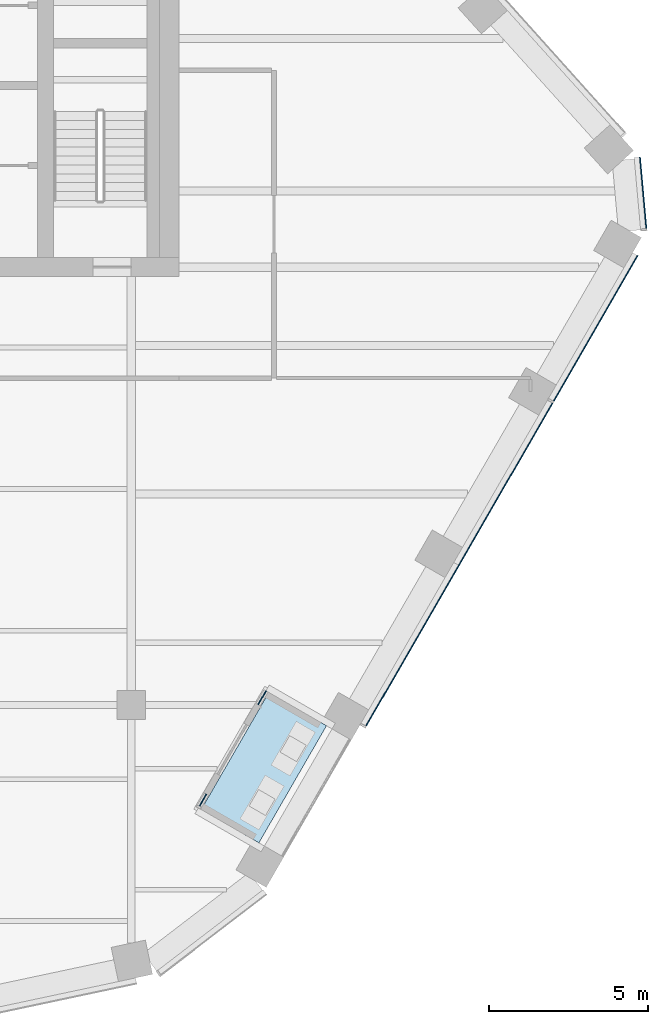
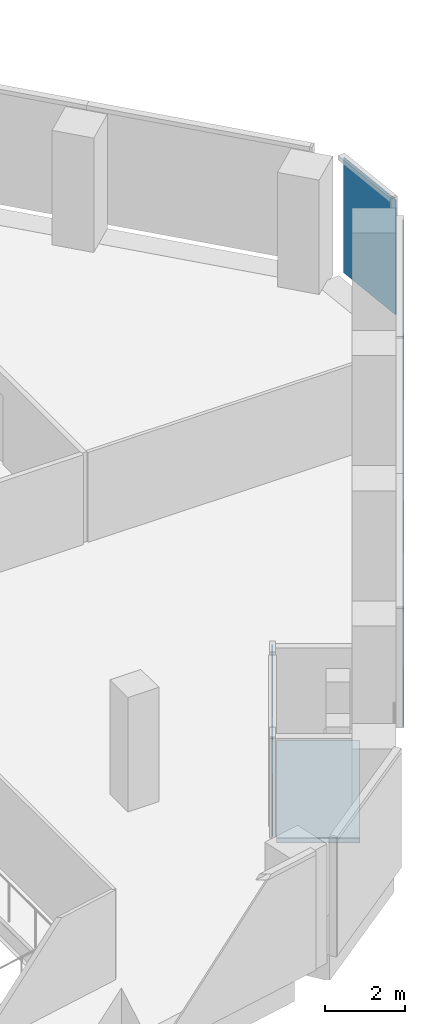
# One storey, part 12 of 24: 6 plates, 1 slab, 3 elements without a shape of their own.
"""IFC4 building model written with IfcOpenShell, lengths in metres."""

import ifcopenshell
import ifcopenshell.guid

model = None  # the IFC model being written
_history = None  # IfcOwnerHistory: only IFC2X3 demands one
_inside = {}  # id of a spatial element -> (the spatial element, [elements in it])
_under = {}  # id of a project, library or spatial element -> (it, [spatial elements below it])
_declared = {}  # id of a project -> (the project, [libraries it declares])
_typed = {}  # id of a type object -> (the type object, [elements of that type])
_made_of = {}  # id of a material, layer set ... -> (it, [elements and type objects made of it])


def new_model(schema):
    """Start an empty IFC model of exactly this schema.

    Asked for "IFC4X3", IfcOpenShell would pick the latest addendum, in which some entities
    have other attributes; the version numbers below select the first issue.
    IFC2X3 requires an IfcOwnerHistory on every rooted entity: one is made here for all.
    """
    global model, _history
    if schema == "IFC4X3":
        model = ifcopenshell.file(schema_version=(4, 3, 0, 0))
    else:
        model = ifcopenshell.file(schema=schema)
    _inside.clear()
    _under.clear()
    _declared.clear()
    _typed.clear()
    _made_of.clear()
    _history = None
    if model.schema == "IFC2X3":
        org = make("IfcOrganization", Name="unknown")
        user = make(
            "IfcPersonAndOrganization",
            ThePerson=make("IfcPerson", FamilyName="unknown"),
            TheOrganization=org,
        )
        app = make(
            "IfcApplication",
            ApplicationDeveloper=org,
            Version="unknown",
            ApplicationFullName="unknown",
            ApplicationIdentifier="unknown",
        )
        _history = make(
            "IfcOwnerHistory",
            OwningUser=user,
            OwningApplication=app,
            ChangeAction="ADDED",
            CreationDate=0,
        )
    return model


def make(cls, **values):
    """One entity of the class cls with the attributes given. An attribute that is None is left unset."""
    return model.create_entity(
        cls, **{name: value for name, value in values.items() if value is not None}
    )


def rooted(cls, **values):
    """An entity with a GlobalId (a new one), such as an element, a storey or a relation."""
    return make(cls, GlobalId=ifcopenshell.guid.new(), OwnerHistory=_history, **values)


def si_unit(unit_type, name, prefix=None):
    """IfcSIUnit, for example si_unit("LENGTHUNIT", "METRE", prefix="MILLI")."""
    return make("IfcSIUnit", UnitType=unit_type, Prefix=prefix, Name=name)


def assignment(units):
    """IfcUnitAssignment: the units of a project."""
    return None if units is None else make("IfcUnitAssignment", Units=units)


def point(xyz):
    """IfcCartesianPoint."""
    return None if xyz is None else make("IfcCartesianPoint", Coordinates=xyz)


def direction(xyz):
    """IfcDirection."""
    return None if xyz is None else make("IfcDirection", DirectionRatios=xyz)


def frame(location, z_axis=None, x_axis=None):
    """IfcAxis2Placement3D, a coordinate frame: its origin and axes. An axis left out is left unset."""
    return make(
        "IfcAxis2Placement3D",
        Location=point(location),
        Axis=direction(z_axis),
        RefDirection=direction(x_axis),
    )


def frame_2d(location, x_axis=None):
    """IfcAxis2Placement2D, a coordinate frame in the plane: its origin and x axis."""
    return make(
        "IfcAxis2Placement2D", Location=point(location), RefDirection=direction(x_axis)
    )


def origin():
    """The frame at (0, 0, 0) with its axes left unset."""
    return frame((0.0, 0.0, 0.0))


def origin_2d():
    """The frame at (0, 0) in the plane with its x axis left unset."""
    return frame_2d((0.0, 0.0))


def place(relative_to, where):
    """IfcLocalPlacement: puts the frame where relative to a parent placement (None: the world)."""
    return make(
        "IfcLocalPlacement", PlacementRelTo=relative_to, RelativePlacement=where
    )


def context(
    kind, dimensions, precision=None, world=None, true_north=None, identifier=None
):
    """IfcGeometricRepresentationContext, for example the 3D "Model" context."""
    return make(
        "IfcGeometricRepresentationContext",
        ContextIdentifier=identifier,
        ContextType=kind,
        CoordinateSpaceDimension=dimensions,
        Precision=precision,
        WorldCoordinateSystem=world,
        TrueNorth=true_north,
    )


def subcontext(parent, identifier, kind, view, scale=None):
    """IfcGeometricRepresentationSubContext, for example "Body" below "Model"."""
    return make(
        "IfcGeometricRepresentationSubContext",
        ContextIdentifier=identifier,
        ContextType=kind,
        ParentContext=parent,
        TargetScale=scale,
        TargetView=view,
    )


def project(units=None, contexts=None):
    """IfcProject with its units and contexts."""
    return rooted(
        "IfcProject",
        Name="project",
        RepresentationContexts=contexts,
        UnitsInContext=assignment(units),
    )


def spatial(cls, under=None, at=None, **own):
    """A site, building, storey or space (cls), placed at a placement, below another one or the project."""
    s = rooted(cls, ObjectPlacement=at, **own)
    if under is not None:
        _under.setdefault(under.id(), (under, []))[1].append(s)
    return s


def polyline(points):
    """IfcPolyline through the points."""
    return make("IfcPolyline", Points=[point(p) for p in points])


def profile(cls, at=None, kind="AREA", **sizes):
    """A parametric profile (cls). Its sizes go by their IFC names, for example OverallWidth=200.0."""
    return make(cls, ProfileType=kind, Position=at, **sizes)


def rectangle(**sizes):
    """IfcRectangleProfileDef."""
    return profile("IfcRectangleProfileDef", **sizes)


def outline(outer, holes=None, kind="AREA"):
    """IfcArbitraryClosedProfileDef: a profile drawn as a closed curve; with holes, ...WithVoids."""
    if holes is None:
        return make("IfcArbitraryClosedProfileDef", ProfileType=kind, OuterCurve=outer)
    return make(
        "IfcArbitraryProfileDefWithVoids",
        ProfileType=kind,
        OuterCurve=outer,
        InnerCurves=holes,
    )


def extrude(swept, where, along, depth):
    """IfcExtrudedAreaSolid: the profile swept, set in the frame where, extruded along a direction by depth."""
    return make(
        "IfcExtrudedAreaSolid",
        SweptArea=swept,
        Position=where,
        ExtrudedDirection=direction(along),
        Depth=depth,
    )


def shape(context_of_items, identifier, shape_type, items):
    """IfcShapeRepresentation: the items that make up one representation, for example the "Body"."""
    return make(
        "IfcShapeRepresentation",
        ContextOfItems=context_of_items,
        RepresentationIdentifier=identifier,
        RepresentationType=shape_type,
        Items=items,
    )


def material(Name=None, Category=None):
    """IfcMaterial."""
    return make("IfcMaterial", Name=Name, Category=Category)


def layer(
    of_material, thickness, ventilated=None, Name=None, Category=None, Priority=None
):
    """IfcMaterialLayer: one layer of a wall or slab, of a material (None: an air gap)."""
    return make(
        "IfcMaterialLayer",
        Material=of_material,
        LayerThickness=thickness,
        IsVentilated=ventilated,
        Name=Name,
        Category=Category,
        Priority=Priority,
    )


def layer_set(layers, Name=None):
    """IfcMaterialLayerSet."""
    return make("IfcMaterialLayerSet", MaterialLayers=layers, LayerSetName=Name)


def made_of(thing, what):
    """Note that an element or type object is made of a material, layer set ...; save() writes the relation."""
    if what is not None:
        _made_of.setdefault(what.id(), (what, []))[1].append(thing)
    return thing


def type_object(cls, material=None, **own):
    """A type object (cls), such as IfcWallType, which elements share."""
    return made_of(rooted(cls, **own), material)


def element(
    cls,
    number,
    at=None,
    inside=None,
    cuts=None,
    type_object=None,
    material=None,
    context=None,
    identifier="Body",
    shape_type=None,
    held_by="IfcProductDefinitionShape",
    body=None,
    shapes=None,
    **own,
):
    """One element of the class cls, such as IfcWall. Its Tag is "e" and its number.

    at: its placement. inside: the storey or other place that contains it. cuts: it is an
    opening in that element (IfcRelVoidsElement). A single representation is given by context,
    identifier, shape_type and body (its items); several are given by shapes. held_by: the class
    of the entity that holds the representations. save() writes the other relations.
    """
    e = rooted(cls, Tag="e%d" % number, ObjectPlacement=at, **own)
    if body is not None:
        shapes = [shape(context, identifier, shape_type, body)]
    if shapes is not None:
        e.Representation = make(held_by, Representations=shapes)
    if inside is not None:
        _inside.setdefault(inside.id(), (inside, []))[1].append(e)
    if cuts is not None:
        rooted(
            "IfcRelVoidsElement", RelatingBuildingElement=cuts, RelatedOpeningElement=e
        )
    if type_object is not None:
        _typed.setdefault(type_object.id(), (type_object, []))[1].append(e)
    return made_of(e, material)


def aggregate(whole, parts):
    """IfcRelAggregates: a whole, such as a stair, and the parts it consists of."""
    return rooted("IfcRelAggregates", RelatingObject=whole, RelatedObjects=parts)


def save(model, path):
    """Write the relations noted so far, then the file.

    IfcRelAggregates (storeys below a building ...), IfcRelContainedInSpatialStructure (elements
    in a storey), IfcRelDefinesByType, IfcRelAssociatesMaterial and IfcRelDeclares: one each for
    every whole, place, type object, material and project.
    """
    for whole, parts in _under.values():
        aggregate(whole, parts)
    for where, things in _inside.values():
        rooted(
            "IfcRelContainedInSpatialStructure",
            RelatedElements=things,
            RelatingStructure=where,
        )
    for kind, things in _typed.values():
        rooted("IfcRelDefinesByType", RelatedObjects=things, RelatingType=kind)
    for what, things in _made_of.values():
        rooted("IfcRelAssociatesMaterial", RelatedObjects=things, RelatingMaterial=what)
    for by, libraries in _declared.values():
        rooted("IfcRelDeclares", RelatingContext=by, RelatedDefinitions=libraries)
    model.write(path)


model = new_model("IFC4")

# Units and contexts
model_context = context("Model", 3, precision=1e-05, world=origin(), true_north=direction((0.0, 1.0)))
body_context = subcontext(model_context, "Body", "Model", "MODEL_VIEW")
ifc_project = project(units=[si_unit("LENGTHUNIT", "METRE"), si_unit("AREAUNIT", "SQUARE_METRE"), si_unit("VOLUMEUNIT", "CUBIC_METRE"), si_unit("PLANEANGLEUNIT", "RADIAN"), si_unit("MASSUNIT", "GRAM", prefix="KILO")], contexts=[model_context])

# Site, building, storey
site_placement = place(None, origin())
site = spatial("IfcSite", under=ifc_project, at=site_placement, CompositionType="ELEMENT")
building_placement = place(site_placement, origin())
building = spatial("IfcBuilding", under=site, at=building_placement, Name="Isthmus Gate Tower", CompositionType="ELEMENT")
storey_placement = place(building_placement, frame((0.0, 0.0, 219.949951171875)))
storey = spatial("IfcBuildingStorey", under=building, at=storey_placement, Name="L55", CompositionType="ELEMENT", Elevation=219.949951171875)

# Curtain wall, plates
ifc_material_1 = material(Name="Aluminium, pale champagne anodised", Category="aluminium")
ifc_layer_1 = layer(ifc_material_1, 0.199951171875)
ifc_layer_set_1 = layer_set([ifc_layer_1], Name="CW-1 UNITISED CURTAIN WALL 200 DEEP")
curtain_wall_type_1 = type_object("IfcCurtainWallType", Name="CW-1 UNITISED CURTAIN WALL 200 DEEP", PredefinedType="NOTDEFINED", material=ifc_layer_set_1)
curtain_wall_1_placement = place(storey_placement, origin())
curtain_wall_1 = element("IfcCurtainWall", 1, at=curtain_wall_1_placement, inside=storey, type_object=curtain_wall_type_1, Name="CW-1 SE L55", PredefinedType="NOTDEFINED")
ifc_material_2 = material(Name="Laminated low-iron glass, pale blue tint", Category="glass")
ifc_layer_2 = layer(ifc_material_2, 0.031982421875)
ifc_layer_set_2 = layer_set([ifc_layer_2], Name="CW-1 CLEAR GLASS LITE 32")
plate_type_1 = type_object("IfcPlateType", Name="CW-1 CLEAR GLASS LITE 32", PredefinedType="CURTAIN_PANEL", material=ifc_layer_set_2)
plate_1_placement = place(storey_placement, frame((22.3623046875, -11.63525390625, 0.0), z_axis=(0.0, 0.0, 1.0), x_axis=(0.5, 0.866025403784, 0.0)))
plate_1 = element("IfcPlate", 2, at=plate_1_placement, type_object=plate_type_1, Name="CW-1 glass lite", PredefinedType="CURTAIN_PANEL", context=body_context, shape_type="SweptSolid", body=[
    extrude(rectangle(XDim=5.8505859375, YDim=0.031982421875, at=origin_2d()), origin(), (0.0, 0.0, 1.0), 3.52001953125),
])
plate_2_placement = place(storey_placement, frame((25.302734375, -6.54248046875, 0.0), z_axis=(0.0, 0.0, 1.0), x_axis=(0.5, 0.866025403784, 0.0)))
plate_2 = element("IfcPlate", 3, at=plate_2_placement, type_object=plate_type_1, Name="CW-1 glass lite", PredefinedType="CURTAIN_PANEL", context=body_context, shape_type="SweptSolid", body=[
    extrude(rectangle(XDim=5.91064453125, YDim=0.031982421875, at=origin_2d()), origin(), (0.0, 0.0, 1.0), 3.52001953125),
])
plate_3_placement = place(storey_placement, frame((28.135498046875, -1.635986328125, 0.0), z_axis=(0.0, 0.0, 1.0), x_axis=(0.5, 0.866025403784, 0.0)))
plate_3 = element("IfcPlate", 4, at=plate_3_placement, type_object=plate_type_1, Name="CW-1 glass lite", PredefinedType="CURTAIN_PANEL", context=body_context, shape_type="SweptSolid", body=[
    extrude(rectangle(XDim=5.300537109375, YDim=0.031982421875, at=origin_2d()), origin(), (0.0, 0.0, 1.0), 3.52001953125),
])
aggregate(curtain_wall_1, [plate_1, plate_2, plate_3])

# Curtain wall, plate
curtain_wall_2_placement = place(storey_placement, origin())
curtain_wall_2 = element("IfcCurtainWall", 5, at=curtain_wall_2_placement, inside=storey, type_object=curtain_wall_type_1, Name="CW-1 SE-NE L55", PredefinedType="NOTDEFINED")
plate_4_placement = place(storey_placement, frame((29.63427734375, 2.638671875, 0.0), z_axis=(0.0, 0.0, 1.0), x_axis=(-0.089396669717, 0.995996102123, 0.0)))
plate_4 = element("IfcPlate", 6, at=plate_4_placement, type_object=plate_type_1, Name="CW-1 glass lite", PredefinedType="CURTAIN_PANEL", context=body_context, shape_type="SweptSolid", body=[
    extrude(rectangle(XDim=2.258544921875, YDim=0.031982421875, at=origin_2d()), origin(), (0.0, 0.0, 1.0), 3.52001953125),
])
aggregate(curtain_wall_2, [plate_4])

# Curtain wall, plates
ifc_material_3 = material(Name="Aluminium, pale champagne anodised", Category="aluminium")
ifc_layer_3 = layer(ifc_material_3, 0.14990234375)
ifc_layer_set_3 = layer_set([ifc_layer_3], Name="CW-6 LOGGIA BACK WALL GLAZING 150 DEEP")
curtain_wall_type_2 = type_object("IfcCurtainWallType", Name="CW-6 LOGGIA BACK WALL GLAZING 150 DEEP", PredefinedType="NOTDEFINED", material=ifc_layer_set_3)
curtain_wall_3_placement = place(storey_placement, origin())
curtain_wall_3 = element("IfcCurtainWall", 7, at=curtain_wall_3_placement, inside=storey, type_object=curtain_wall_type_2, Name="CW-6 SE L55", PredefinedType="NOTDEFINED")
ifc_material_4 = material(Name="Laminated low-iron glass, clear", Category="glass")
ifc_layer_4 = layer(ifc_material_4, 0.031982421875)
ifc_layer_set_4 = layer_set([ifc_layer_4], Name="CW-6 CLEAR GLASS LITE 32")
plate_type_2 = type_object("IfcPlateType", Name="CW-6 CLEAR GLASS LITE 32", PredefinedType="CURTAIN_PANEL", material=ifc_layer_set_4)
plate_5_placement = place(storey_placement, frame((15.760498046875, -16.502197265625, 0.0), z_axis=(0.0, 0.0, 1.0), x_axis=(0.5, 0.866025403784, 0.0)))
plate_5 = element("IfcPlate", 8, at=plate_5_placement, type_object=plate_type_2, Name="CW-6 glass lite", PredefinedType="CURTAIN_PANEL", context=body_context, shape_type="SweptSolid", body=[
    extrude(rectangle(XDim=0.43994140625, YDim=0.031982421875, at=origin_2d()), origin(), (0.0, 0.0, 1.0), 2.929931640625),
])
plate_6_placement = place(storey_placement, frame((17.625732421875, -13.271484375, 0.0), z_axis=(0.0, 0.0, 1.0), x_axis=(0.5, 0.866025403784, 0.0)))
plate_6 = element("IfcPlate", 9, at=plate_6_placement, type_object=plate_type_2, Name="CW-6 glass lite", PredefinedType="CURTAIN_PANEL", context=body_context, shape_type="SweptSolid", body=[
    extrude(rectangle(XDim=0.5, YDim=0.031982421875, at=origin_2d()), origin(), (0.0, 0.0, 1.0), 2.929931640625),
])
aggregate(curtain_wall_3, [plate_5, plate_6])

# Slab
ifc_material_5 = material(Name="Concrete f'c 50 MPa", Category="concrete")
ifc_layer_5 = layer(ifc_material_5, 0.14990234375)
ifc_layer_set_5 = layer_set([ifc_layer_5], Name="LOGGIA FLOOR SLAB 150")
slab_type = type_object("IfcSlabType", Name="LOGGIA FLOOR SLAB 150", PredefinedType="FLOOR", material=ifc_layer_set_5)
slab_placement = place(storey_placement, frame((0.0, 0.0, -0.14990234375)))
element("IfcSlab", 10, at=slab_placement, inside=storey, type_object=slab_type, Name="LOGGIA FLOOR", PredefinedType="FLOOR", context=body_context, shape_type="SweptSolid", body=[
    extrude(outline(polyline([(17.525634765625, -17.8447265625), (19.656005859375, -14.15478515625), (17.83740234375, -13.10498046875), (15.70703125, -16.794677734375), (17.525634765625, -17.8447265625)])), origin(), (0.0, 0.0, 1.0), 0.14990234375),
])

save(model, "model.ifc")
